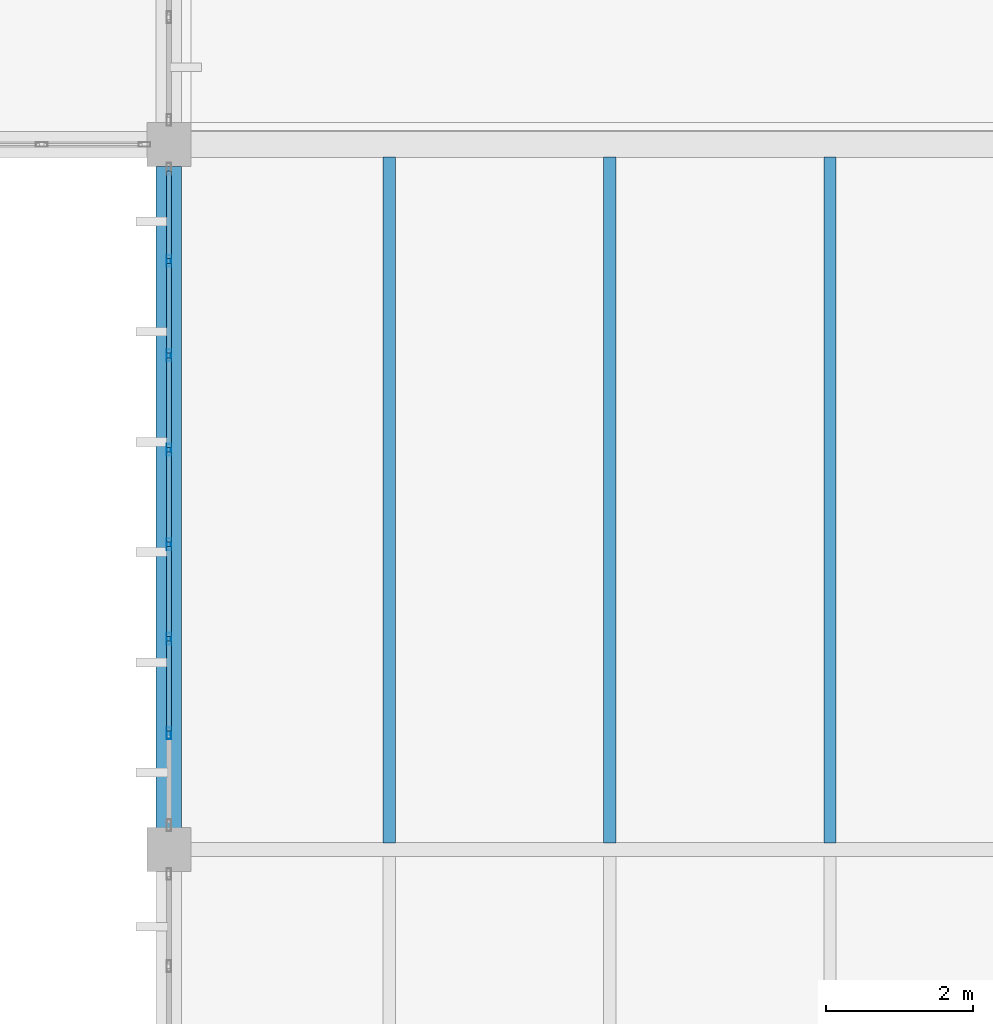
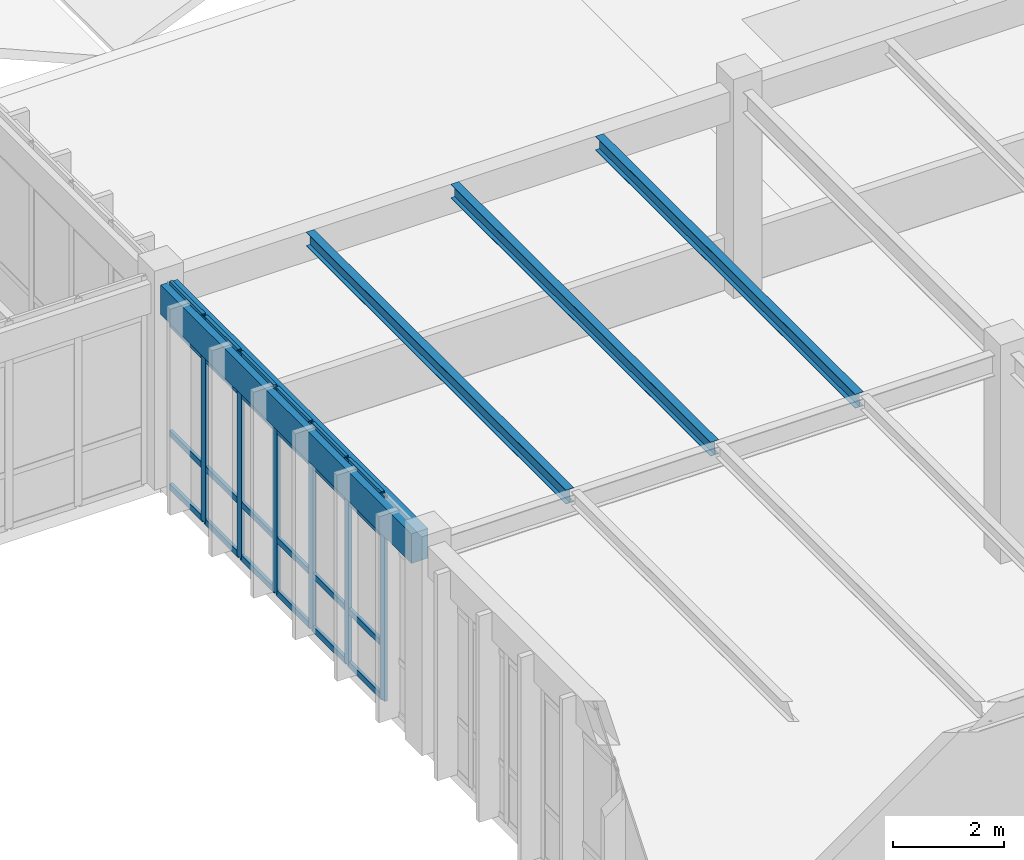
# One storey, part 164 of 236: 30 members, 4 beams, 1 element without a shape of its own.
"""IFC4 building model written with IfcOpenShell, lengths in metres."""

from ifc_helpers import new_model, si_unit, direction, frame, origin, origin_2d, place, context, subcontext, project, spatial, rectangle, hollow_rectangle, i_section, extrude, material, layer, layer_set, material_profile, profile_set, type_object, element, aggregate, save


model = new_model("IFC4")

# Units and contexts
model_context = context("Model", 3, precision=1e-05, world=origin(), true_north=direction((0.0, 1.0)))
body_context = subcontext(model_context, "Body", "Model", "MODEL_VIEW")
ifc_project = project(units=[si_unit("LENGTHUNIT", "METRE"), si_unit("AREAUNIT", "SQUARE_METRE"), si_unit("VOLUMEUNIT", "CUBIC_METRE"), si_unit("PLANEANGLEUNIT", "RADIAN"), si_unit("MASSUNIT", "GRAM", prefix="KILO")], contexts=[model_context])

# Site, building, storey
site_placement = place(None, origin())
site = spatial("IfcSite", under=ifc_project, at=site_placement, CompositionType="ELEMENT")
building_placement = place(site_placement, origin())
building = spatial("IfcBuilding", under=site, at=building_placement, Name="Pandanus Reach Market Hall", CompositionType="ELEMENT")
storey_placement = place(building_placement, frame((0.0, 0.0, 5.39990234375)))
storey = spatial("IfcBuildingStorey", under=building, at=storey_placement, Name="L01", CompositionType="ELEMENT", Elevation=5.39990234375)

# Beam
ifc_material_1 = material(Name="Concrete N40 (40 MPa)", Category="concrete")
ifc_material_profile_1 = material_profile(ifc_material_1, rectangle(XDim=0.35009765625, YDim=0.64990234375, at=origin_2d()), Name="RC350x650", Category="LoadBearing")
ifc_profile_set_1 = profile_set([ifc_material_profile_1], Name="Concrete N40 (40 MPa)")
beam_type_1 = type_object("IfcBeamType", Name="BM-RC350-E", PredefinedType="SPANDREL", material=ifc_profile_set_1)
beam_placement = place(storey_placement, frame((144.0, 86.697998046875, 4.135009765625), z_axis=(0.0, 1.0, 0.0), x_axis=(-1.0, 0.0, 0.0)))
element("IfcBeam", 1, at=beam_placement, inside=storey, type_object=beam_type_1, Name="Framing beam BM-RC350-E L01.344", PredefinedType="SPANDREL", context=body_context, shape_type="SweptSolid", body=[
    extrude(rectangle(XDim=0.35009765625, YDim=0.64990234375, at=origin_2d()), origin(), (0.0, 0.0, 1.0), 9.00390625),
])

# Curtain wall, members
ifc_material_2 = material(Name="Bronze anodised aluminium and low-E glass", Category="aluminium")
ifc_layer = layer(ifc_material_2, 0.159912109375, Name="CW-29")
ifc_layer_set = layer_set([ifc_layer], Name="Bronze anodised aluminium and low-E glass")
curtain_wall_type = type_object("IfcCurtainWallType", Name="CW-29", PredefinedType="NOTDEFINED", material=ifc_layer_set)
curtain_wall_placement = place(storey_placement, origin())
curtain_wall = element("IfcCurtainWall", 2, at=curtain_wall_placement, inside=storey, type_object=curtain_wall_type, Name="Glazed curtain wall CW-29 CW-0099", PredefinedType="NOTDEFINED")
ifc_material_3 = material(Name="Bronze anodised aluminium", Category="aluminium")
ifc_material_profile_2 = material_profile(ifc_material_3, hollow_rectangle(XDim=0.06494140625, YDim=0.159912109375, WallThickness=0.00390625, at=origin_2d()), Name="ALU65x160", Category="LoadBearing")
ifc_profile_set_2 = profile_set([ifc_material_profile_2], Name="Bronze anodised aluminium")
member_type_1 = type_object("IfcMemberType", Name="CW-M1", PredefinedType="MULLION", material=ifc_profile_set_2)
member_1_placement = place(storey_placement, frame((144.0, 87.985595703125, 0.0), z_axis=(0.0, 0.0, 1.0), x_axis=(-1.0, 0.0, 0.0)))
member_1 = element("IfcMember", 3, at=member_1_placement, type_object=member_type_1, Name="CW-29 mullion 2", PredefinedType="MULLION", context=body_context, shape_type="SweptSolid", body=[
    extrude(hollow_rectangle(XDim=0.06494140625, YDim=0.159912109375, WallThickness=0.00390625, at=origin_2d()), origin(), (0.0, 0.0, 1.0), 4.5),
])
member_2_placement = place(storey_placement, frame((144.0, 89.271484375, 0.0), z_axis=(0.0, 0.0, 1.0), x_axis=(-1.0, 0.0, 0.0)))
member_2 = element("IfcMember", 4, at=member_2_placement, type_object=member_type_1, Name="CW-29 mullion 3", PredefinedType="MULLION", context=body_context, shape_type="SweptSolid", body=[
    extrude(hollow_rectangle(XDim=0.06494140625, YDim=0.159912109375, WallThickness=0.00390625, at=origin_2d()), origin(), (0.0, 0.0, 1.0), 4.5),
])
member_3_placement = place(storey_placement, frame((144.0, 90.55712890625, 0.0), z_axis=(0.0, 0.0, 1.0), x_axis=(-1.0, 0.0, 0.0)))
member_3 = element("IfcMember", 5, at=member_3_placement, type_object=member_type_1, Name="CW-29 mullion 4", PredefinedType="MULLION", context=body_context, shape_type="SweptSolid", body=[
    extrude(hollow_rectangle(XDim=0.06494140625, YDim=0.159912109375, WallThickness=0.00390625, at=origin_2d()), origin(), (0.0, 0.0, 1.0), 4.5),
])
member_4_placement = place(storey_placement, frame((144.0, 91.8427734375, 0.0), z_axis=(0.0, 0.0, 1.0), x_axis=(-1.0, 0.0, 0.0)))
member_4 = element("IfcMember", 6, at=member_4_placement, type_object=member_type_1, Name="CW-29 mullion 5", PredefinedType="MULLION", context=body_context, shape_type="SweptSolid", body=[
    extrude(hollow_rectangle(XDim=0.06494140625, YDim=0.159912109375, WallThickness=0.00390625, at=origin_2d()), origin(), (0.0, 0.0, 1.0), 4.5),
])
member_5_placement = place(storey_placement, frame((144.0, 93.128662109375, 0.0), z_axis=(0.0, 0.0, 1.0), x_axis=(-1.0, 0.0, 0.0)))
member_5 = element("IfcMember", 7, at=member_5_placement, type_object=member_type_1, Name="CW-29 mullion 6", PredefinedType="MULLION", context=body_context, shape_type="SweptSolid", body=[
    extrude(hollow_rectangle(XDim=0.06494140625, YDim=0.159912109375, WallThickness=0.00390625, at=origin_2d()), origin(), (0.0, 0.0, 1.0), 4.5),
])
member_6_placement = place(storey_placement, frame((144.0, 94.414306640625, 0.0), z_axis=(0.0, 0.0, 1.0), x_axis=(-1.0, 0.0, 0.0)))
member_6 = element("IfcMember", 8, at=member_6_placement, type_object=member_type_1, Name="CW-29 mullion 7", PredefinedType="MULLION", context=body_context, shape_type="SweptSolid", body=[
    extrude(hollow_rectangle(XDim=0.06494140625, YDim=0.159912109375, WallThickness=0.00390625, at=origin_2d()), origin(), (0.0, 0.0, 1.0), 4.5),
])
ifc_material_profile_3 = material_profile(ifc_material_3, hollow_rectangle(XDim=0.06494140625, YDim=0.1298828125, WallThickness=0.00390625, at=origin_2d()), Name="ALU65x130", Category="LoadBearing")
ifc_profile_set_3 = profile_set([ifc_material_profile_3], Name="Bronze anodised aluminium")
member_type_2 = type_object("IfcMemberType", Name="CW-T1", PredefinedType="USERDEFINED", material=ifc_profile_set_3)
member_7_placement = place(storey_placement, frame((144.0, 88.018310546875, 0.03271484375), z_axis=(0.0, 1.0, 0.0), x_axis=(-1.0, 0.0, 0.0)))
member_7 = element("IfcMember", 9, at=member_7_placement, type_object=member_type_2, Name="CW-29 transom 2.1", ObjectType="TRANSOM", PredefinedType="USERDEFINED", context=body_context, shape_type="SweptSolid", body=[
    extrude(hollow_rectangle(XDim=0.06494140625, YDim=0.1298828125, WallThickness=0.00390625, at=origin_2d()), origin(), (0.0, 0.0, 1.0), 1.220703125),
])
member_8_placement = place(storey_placement, frame((144.0, 88.018310546875, 1.2001953125), z_axis=(0.0, 1.0, 0.0), x_axis=(-1.0, 0.0, 0.0)))
member_8 = element("IfcMember", 10, at=member_8_placement, type_object=member_type_2, Name="CW-29 transom 2.2", ObjectType="TRANSOM", PredefinedType="USERDEFINED", context=body_context, shape_type="SweptSolid", body=[
    extrude(hollow_rectangle(XDim=0.06494140625, YDim=0.1298828125, WallThickness=0.00390625, at=origin_2d()), origin(), (0.0, 0.0, 1.0), 1.220703125),
])
member_9_placement = place(storey_placement, frame((144.0, 88.018310546875, 3.60009765625), z_axis=(0.0, 1.0, 0.0), x_axis=(-1.0, 0.0, 0.0)))
member_9 = element("IfcMember", 11, at=member_9_placement, type_object=member_type_2, Name="CW-29 transom 2.3", ObjectType="TRANSOM", PredefinedType="USERDEFINED", context=body_context, shape_type="SweptSolid", body=[
    extrude(hollow_rectangle(XDim=0.06494140625, YDim=0.1298828125, WallThickness=0.00390625, at=origin_2d()), origin(), (0.0, 0.0, 1.0), 1.220703125),
])
member_10_placement = place(storey_placement, frame((144.0, 88.018310546875, 4.467529296875), z_axis=(0.0, 1.0, 0.0), x_axis=(-1.0, 0.0, 0.0)))
member_10 = element("IfcMember", 12, at=member_10_placement, type_object=member_type_2, Name="CW-29 transom 2.4", ObjectType="TRANSOM", PredefinedType="USERDEFINED", context=body_context, shape_type="SweptSolid", body=[
    extrude(hollow_rectangle(XDim=0.06494140625, YDim=0.1298828125, WallThickness=0.00390625, at=origin_2d()), origin(), (0.0, 0.0, 1.0), 1.220703125),
])
member_11_placement = place(storey_placement, frame((144.0, 89.303955078125, 0.03271484375), z_axis=(0.0, 1.0, 0.0), x_axis=(-1.0, 0.0, 0.0)))
member_11 = element("IfcMember", 13, at=member_11_placement, type_object=member_type_2, Name="CW-29 transom 3.1", ObjectType="TRANSOM", PredefinedType="USERDEFINED", context=body_context, shape_type="SweptSolid", body=[
    extrude(hollow_rectangle(XDim=0.06494140625, YDim=0.1298828125, WallThickness=0.00390625, at=origin_2d()), origin(), (0.0, 0.0, 1.0), 1.220703125),
])
member_12_placement = place(storey_placement, frame((144.0, 89.303955078125, 1.2001953125), z_axis=(0.0, 1.0, 0.0), x_axis=(-1.0, 0.0, 0.0)))
member_12 = element("IfcMember", 14, at=member_12_placement, type_object=member_type_2, Name="CW-29 transom 3.2", ObjectType="TRANSOM", PredefinedType="USERDEFINED", context=body_context, shape_type="SweptSolid", body=[
    extrude(hollow_rectangle(XDim=0.06494140625, YDim=0.1298828125, WallThickness=0.00390625, at=origin_2d()), origin(), (0.0, 0.0, 1.0), 1.220703125),
])
member_13_placement = place(storey_placement, frame((144.0, 89.303955078125, 3.60009765625), z_axis=(0.0, 1.0, 0.0), x_axis=(-1.0, 0.0, 0.0)))
member_13 = element("IfcMember", 15, at=member_13_placement, type_object=member_type_2, Name="CW-29 transom 3.3", ObjectType="TRANSOM", PredefinedType="USERDEFINED", context=body_context, shape_type="SweptSolid", body=[
    extrude(hollow_rectangle(XDim=0.06494140625, YDim=0.1298828125, WallThickness=0.00390625, at=origin_2d()), origin(), (0.0, 0.0, 1.0), 1.220703125),
])
member_14_placement = place(storey_placement, frame((144.0, 89.303955078125, 4.467529296875), z_axis=(0.0, 1.0, 0.0), x_axis=(-1.0, 0.0, 0.0)))
member_14 = element("IfcMember", 16, at=member_14_placement, type_object=member_type_2, Name="CW-29 transom 3.4", ObjectType="TRANSOM", PredefinedType="USERDEFINED", context=body_context, shape_type="SweptSolid", body=[
    extrude(hollow_rectangle(XDim=0.06494140625, YDim=0.1298828125, WallThickness=0.00390625, at=origin_2d()), origin(), (0.0, 0.0, 1.0), 1.220703125),
])
member_15_placement = place(storey_placement, frame((144.0, 90.589599609375, 0.03271484375), z_axis=(0.0, 1.0, 0.0), x_axis=(-1.0, 0.0, 0.0)))
member_15 = element("IfcMember", 17, at=member_15_placement, type_object=member_type_2, Name="CW-29 transom 4.1", ObjectType="TRANSOM", PredefinedType="USERDEFINED", context=body_context, shape_type="SweptSolid", body=[
    extrude(hollow_rectangle(XDim=0.06494140625, YDim=0.1298828125, WallThickness=0.00390625, at=origin_2d()), origin(), (0.0, 0.0, 1.0), 1.220703125),
])
member_16_placement = place(storey_placement, frame((144.0, 90.589599609375, 1.2001953125), z_axis=(0.0, 1.0, 0.0), x_axis=(-1.0, 0.0, 0.0)))
member_16 = element("IfcMember", 18, at=member_16_placement, type_object=member_type_2, Name="CW-29 transom 4.2", ObjectType="TRANSOM", PredefinedType="USERDEFINED", context=body_context, shape_type="SweptSolid", body=[
    extrude(hollow_rectangle(XDim=0.06494140625, YDim=0.1298828125, WallThickness=0.00390625, at=origin_2d()), origin(), (0.0, 0.0, 1.0), 1.220703125),
])
member_17_placement = place(storey_placement, frame((144.0, 90.589599609375, 3.60009765625), z_axis=(0.0, 1.0, 0.0), x_axis=(-1.0, 0.0, 0.0)))
member_17 = element("IfcMember", 19, at=member_17_placement, type_object=member_type_2, Name="CW-29 transom 4.3", ObjectType="TRANSOM", PredefinedType="USERDEFINED", context=body_context, shape_type="SweptSolid", body=[
    extrude(hollow_rectangle(XDim=0.06494140625, YDim=0.1298828125, WallThickness=0.00390625, at=origin_2d()), origin(), (0.0, 0.0, 1.0), 1.220703125),
])
member_18_placement = place(storey_placement, frame((144.0, 90.589599609375, 4.467529296875), z_axis=(0.0, 1.0, 0.0), x_axis=(-1.0, 0.0, 0.0)))
member_18 = element("IfcMember", 20, at=member_18_placement, type_object=member_type_2, Name="CW-29 transom 4.4", ObjectType="TRANSOM", PredefinedType="USERDEFINED", context=body_context, shape_type="SweptSolid", body=[
    extrude(hollow_rectangle(XDim=0.06494140625, YDim=0.1298828125, WallThickness=0.00390625, at=origin_2d()), origin(), (0.0, 0.0, 1.0), 1.220703125),
])
member_19_placement = place(storey_placement, frame((144.0, 91.875244140625, 0.03271484375), z_axis=(0.0, 1.0, 0.0), x_axis=(-1.0, 0.0, 0.0)))
member_19 = element("IfcMember", 21, at=member_19_placement, type_object=member_type_2, Name="CW-29 transom 5.1", ObjectType="TRANSOM", PredefinedType="USERDEFINED", context=body_context, shape_type="SweptSolid", body=[
    extrude(hollow_rectangle(XDim=0.06494140625, YDim=0.1298828125, WallThickness=0.00390625, at=origin_2d()), origin(), (0.0, 0.0, 1.0), 1.220947265625),
])
member_20_placement = place(storey_placement, frame((144.0, 91.875244140625, 1.2001953125), z_axis=(0.0, 1.0, 0.0), x_axis=(-1.0, 0.0, 0.0)))
member_20 = element("IfcMember", 22, at=member_20_placement, type_object=member_type_2, Name="CW-29 transom 5.2", ObjectType="TRANSOM", PredefinedType="USERDEFINED", context=body_context, shape_type="SweptSolid", body=[
    extrude(hollow_rectangle(XDim=0.06494140625, YDim=0.1298828125, WallThickness=0.00390625, at=origin_2d()), origin(), (0.0, 0.0, 1.0), 1.220947265625),
])
member_21_placement = place(storey_placement, frame((144.0, 91.875244140625, 3.60009765625), z_axis=(0.0, 1.0, 0.0), x_axis=(-1.0, 0.0, 0.0)))
member_21 = element("IfcMember", 23, at=member_21_placement, type_object=member_type_2, Name="CW-29 transom 5.3", ObjectType="TRANSOM", PredefinedType="USERDEFINED", context=body_context, shape_type="SweptSolid", body=[
    extrude(hollow_rectangle(XDim=0.06494140625, YDim=0.1298828125, WallThickness=0.00390625, at=origin_2d()), origin(), (0.0, 0.0, 1.0), 1.220947265625),
])
member_22_placement = place(storey_placement, frame((144.0, 91.875244140625, 4.467529296875), z_axis=(0.0, 1.0, 0.0), x_axis=(-1.0, 0.0, 0.0)))
member_22 = element("IfcMember", 24, at=member_22_placement, type_object=member_type_2, Name="CW-29 transom 5.4", ObjectType="TRANSOM", PredefinedType="USERDEFINED", context=body_context, shape_type="SweptSolid", body=[
    extrude(hollow_rectangle(XDim=0.06494140625, YDim=0.1298828125, WallThickness=0.00390625, at=origin_2d()), origin(), (0.0, 0.0, 1.0), 1.220947265625),
])
member_23_placement = place(storey_placement, frame((144.0, 93.1611328125, 0.03271484375), z_axis=(0.0, 1.0, 0.0), x_axis=(-1.0, 0.0, 0.0)))
member_23 = element("IfcMember", 25, at=member_23_placement, type_object=member_type_2, Name="CW-29 transom 6.1", ObjectType="TRANSOM", PredefinedType="USERDEFINED", context=body_context, shape_type="SweptSolid", body=[
    extrude(hollow_rectangle(XDim=0.06494140625, YDim=0.1298828125, WallThickness=0.00390625, at=origin_2d()), origin(), (0.0, 0.0, 1.0), 1.220703125),
])
member_24_placement = place(storey_placement, frame((144.0, 93.1611328125, 1.2001953125), z_axis=(0.0, 1.0, 0.0), x_axis=(-1.0, 0.0, 0.0)))
member_24 = element("IfcMember", 26, at=member_24_placement, type_object=member_type_2, Name="CW-29 transom 6.2", ObjectType="TRANSOM", PredefinedType="USERDEFINED", context=body_context, shape_type="SweptSolid", body=[
    extrude(hollow_rectangle(XDim=0.06494140625, YDim=0.1298828125, WallThickness=0.00390625, at=origin_2d()), origin(), (0.0, 0.0, 1.0), 1.220703125),
])
member_25_placement = place(storey_placement, frame((144.0, 93.1611328125, 3.60009765625), z_axis=(0.0, 1.0, 0.0), x_axis=(-1.0, 0.0, 0.0)))
member_25 = element("IfcMember", 27, at=member_25_placement, type_object=member_type_2, Name="CW-29 transom 6.3", ObjectType="TRANSOM", PredefinedType="USERDEFINED", context=body_context, shape_type="SweptSolid", body=[
    extrude(hollow_rectangle(XDim=0.06494140625, YDim=0.1298828125, WallThickness=0.00390625, at=origin_2d()), origin(), (0.0, 0.0, 1.0), 1.220703125),
])
member_26_placement = place(storey_placement, frame((144.0, 93.1611328125, 4.467529296875), z_axis=(0.0, 1.0, 0.0), x_axis=(-1.0, 0.0, 0.0)))
member_26 = element("IfcMember", 28, at=member_26_placement, type_object=member_type_2, Name="CW-29 transom 6.4", ObjectType="TRANSOM", PredefinedType="USERDEFINED", context=body_context, shape_type="SweptSolid", body=[
    extrude(hollow_rectangle(XDim=0.06494140625, YDim=0.1298828125, WallThickness=0.00390625, at=origin_2d()), origin(), (0.0, 0.0, 1.0), 1.220703125),
])
member_27_placement = place(storey_placement, frame((144.0, 94.44677734375, 0.03271484375), z_axis=(0.0, 1.0, 0.0), x_axis=(-1.0, 0.0, 0.0)))
member_27 = element("IfcMember", 29, at=member_27_placement, type_object=member_type_2, Name="CW-29 transom 7.1", ObjectType="TRANSOM", PredefinedType="USERDEFINED", context=body_context, shape_type="SweptSolid", body=[
    extrude(hollow_rectangle(XDim=0.06494140625, YDim=0.1298828125, WallThickness=0.00390625, at=origin_2d()), origin(), (0.0, 0.0, 1.0), 1.188232421875),
])
member_28_placement = place(storey_placement, frame((144.0, 94.44677734375, 1.2001953125), z_axis=(0.0, 1.0, 0.0), x_axis=(-1.0, 0.0, 0.0)))
member_28 = element("IfcMember", 30, at=member_28_placement, type_object=member_type_2, Name="CW-29 transom 7.2", ObjectType="TRANSOM", PredefinedType="USERDEFINED", context=body_context, shape_type="SweptSolid", body=[
    extrude(hollow_rectangle(XDim=0.06494140625, YDim=0.1298828125, WallThickness=0.00390625, at=origin_2d()), origin(), (0.0, 0.0, 1.0), 1.188232421875),
])
member_29_placement = place(storey_placement, frame((144.0, 94.44677734375, 3.60009765625), z_axis=(0.0, 1.0, 0.0), x_axis=(-1.0, 0.0, 0.0)))
member_29 = element("IfcMember", 31, at=member_29_placement, type_object=member_type_2, Name="CW-29 transom 7.3", ObjectType="TRANSOM", PredefinedType="USERDEFINED", context=body_context, shape_type="SweptSolid", body=[
    extrude(hollow_rectangle(XDim=0.06494140625, YDim=0.1298828125, WallThickness=0.00390625, at=origin_2d()), origin(), (0.0, 0.0, 1.0), 1.188232421875),
])
member_30_placement = place(storey_placement, frame((144.0, 94.44677734375, 4.467529296875), z_axis=(0.0, 1.0, 0.0), x_axis=(-1.0, 0.0, 0.0)))
member_30 = element("IfcMember", 32, at=member_30_placement, type_object=member_type_2, Name="CW-29 transom 7.4", ObjectType="TRANSOM", PredefinedType="USERDEFINED", context=body_context, shape_type="SweptSolid", body=[
    extrude(hollow_rectangle(XDim=0.06494140625, YDim=0.1298828125, WallThickness=0.00390625, at=origin_2d()), origin(), (0.0, 0.0, 1.0), 1.188232421875),
])
aggregate(curtain_wall, [member_1, member_2, member_3, member_4, member_5, member_6, member_7, member_8, member_9, member_10, member_11, member_12, member_13, member_14, member_15, member_16, member_17, member_18, member_19, member_20, member_21, member_22, member_23, member_24, member_25, member_26, member_27, member_28, member_29, member_30])

# Beams
ifc_material_4 = material(Name="Steel Grade 350 (350 MPa)", Category="steel")
ifc_material_profile_4 = material_profile(ifc_material_4, i_section(OverallWidth=0.166015625, OverallDepth=0.306884765625, WebThickness=0.006591796875, FlangeThickness=0.01171875, at=origin_2d()), Name="310UB46.2", Category="LoadBearing")
ifc_profile_set_4 = profile_set([ifc_material_profile_4], Name="Steel Grade 350 (350 MPa)")
beam_type_2 = type_object("IfcBeamType", Name="JS-UB310H-I", PredefinedType="JOIST", material=ifc_profile_set_4)
for number, where, z_axis, x_axis, name in (
    (33, (147.0, 86.492919921875, 4.30615234375), (0.0, 1.0, 0.0), (-1.0, 0.0, 0.0), "Secondary joist JS-UB310H-I L01.393"),
    (34, (150.0, 86.492919921875, 4.30615234375), (0.0, 1.0, 0.0), (-1.0, 0.0, 0.0), "Secondary joist JS-UB310H-I L01.394"),
    (35, (153.0, 86.492919921875, 4.30615234375), (0.0, 1.0, 0.0), (-1.0, 0.0, 0.0), "Secondary joist JS-UB310H-I L01.395"),
):
    element("IfcBeam", number, at=place(storey_placement, frame(where, z_axis=z_axis, x_axis=x_axis)), inside=storey, type_object=beam_type_2, Name=name, PredefinedType="JOIST", context=body_context, shape_type="SweptSolid", body=[
        extrude(i_section(OverallWidth=0.166015625, OverallDepth=0.306884765625, WebThickness=0.006591796875, FlangeThickness=0.01171875, at=origin_2d()), origin(), (0.0, 0.0, 1.0), 9.333984375),
    ])

save(model, "model.ifc")
